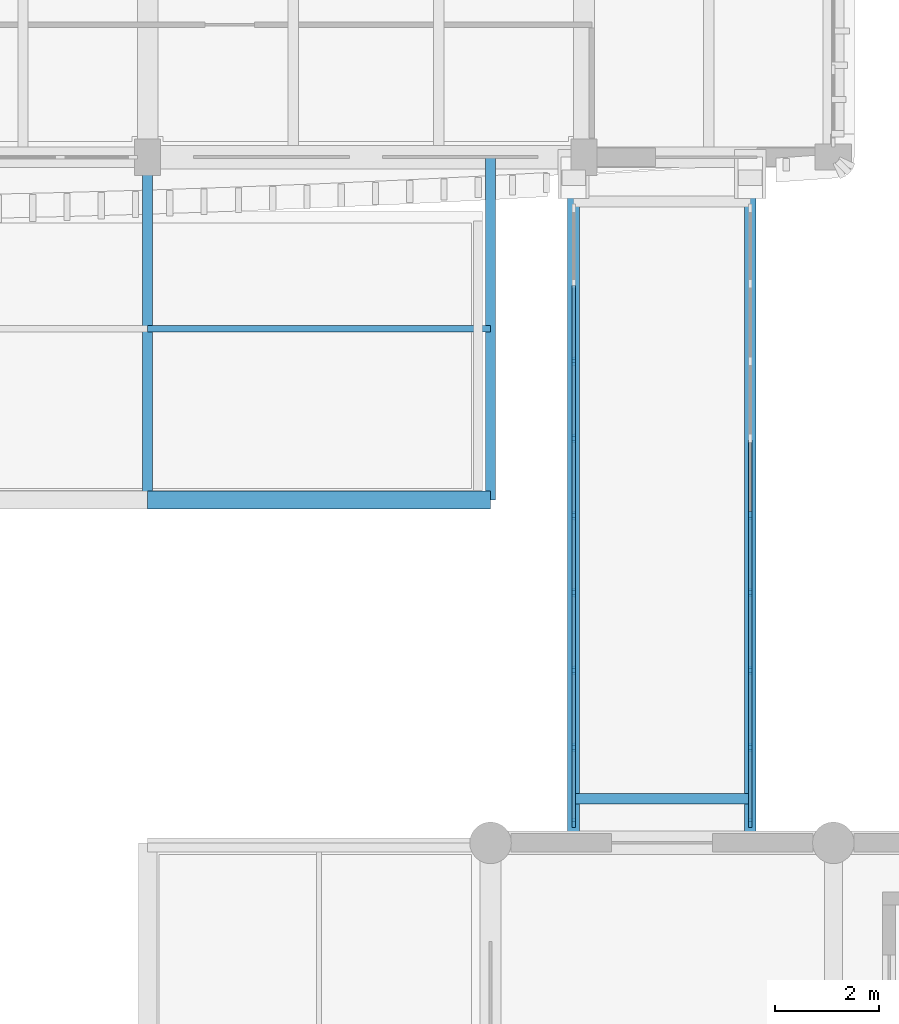
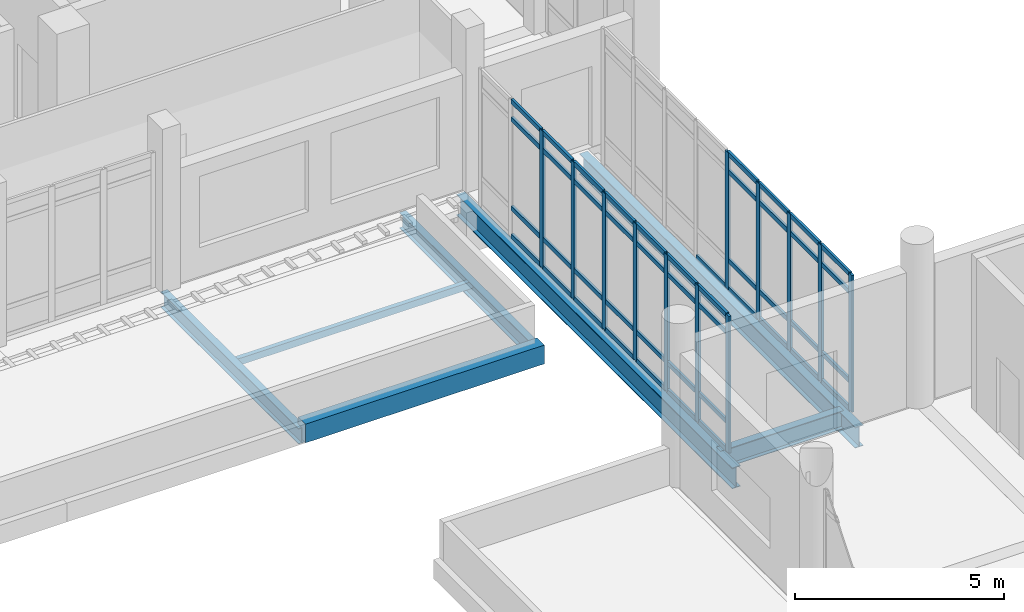
# One storey, part 28 of 125: 58 members, 6 beams, 2 elements without a shape of their own.
"""IFC4 building model written with IfcOpenShell, lengths in metres."""

from ifc_helpers import new_model, si_unit, direction, frame, origin, origin_2d, place, context, subcontext, project, spatial, rectangle, hollow_rectangle, i_section, extrude, material, material_profile, profile_set, type_object, element, aggregate, save


model = new_model("IFC4")

# Units and contexts
model_context = context("Model", 3, precision=1e-05, world=origin(), true_north=direction((0.0, 1.0)))
body_context = subcontext(model_context, "Body", "Model", "MODEL_VIEW")
ifc_project = project(units=[si_unit("LENGTHUNIT", "METRE"), si_unit("AREAUNIT", "SQUARE_METRE"), si_unit("VOLUMEUNIT", "CUBIC_METRE"), si_unit("PLANEANGLEUNIT", "RADIAN"), si_unit("MASSUNIT", "GRAM", prefix="KILO")], contexts=[model_context])

# Site, building, storey
site_placement = place(None, origin())
site = spatial("IfcSite", under=ifc_project, at=site_placement, CompositionType="ELEMENT")
building_placement = place(site_placement, origin())
building = spatial("IfcBuilding", under=site, at=building_placement, Name="Dornvale Research Institute", CompositionType="ELEMENT")
storey_placement = place(building_placement, frame((0.0, 0.0, 5.39990234375)))
storey = spatial("IfcBuildingStorey", under=building, at=storey_placement, Name="L01", CompositionType="ELEMENT", Elevation=5.39990234375)

# Beams
ifc_material_1 = material(Name="Steel ASTM A992 Grade 50", Category="steel")
ifc_material_profile_1 = material_profile(ifc_material_1, i_section(OverallWidth=0.19091796875, OverallDepth=0.4599609375, WebThickness=0.010009765625, FlangeThickness=0.01611328125, at=origin_2d()), Name="W18X55")
ifc_profile_set_1 = profile_set([ifc_material_profile_1], Name="Steel ASTM A992 Grade 50")
beam_type_1 = type_object("IfcBeamType", Name="Beam_Steel_W18X55_Canopy", PredefinedType="BEAM", material=ifc_profile_set_1)
for number, where, z_axis, x_axis, name in (
    (1, (33.0, 92.39990234375, -0.429931640625), (0.0, 1.0, 0.0), (-1.0, 0.0, 0.0), "L01 canopy rib beam #1863"),
    (2, (39.60009765625, 92.39990234375, -0.429931640625), (0.0, 1.0, 0.0), (-1.0, 0.0, 0.0), "L01 canopy rib beam #1865"),
):
    element("IfcBeam", number, at=place(storey_placement, frame(where, z_axis=z_axis, x_axis=x_axis)), inside=storey, type_object=beam_type_1, Name=name, PredefinedType="BEAM", context=body_context, shape_type="SweptSolid", body=[
        extrude(i_section(OverallWidth=0.19091796875, OverallDepth=0.4599609375, WebThickness=0.010009765625, FlangeThickness=0.01611328125, at=origin_2d()), origin(), (0.0, 0.0, 1.0), 6.60009765625),
    ])
ifc_material_2 = material(Name="Steel ASTM A992 Grade 50", Category="steel")
ifc_material_profile_2 = material_profile(ifc_material_2, i_section(OverallWidth=0.2099609375, OverallDepth=0.535888671875, WebThickness=0.010986328125, FlangeThickness=0.017333984375, at=origin_2d()), Name="W21X68")
ifc_profile_set_2 = profile_set([ifc_material_profile_2], Name="Steel ASTM A992 Grade 50")
beam_type_2 = type_object("IfcBeamType", Name="Beam_Steel_W21X68", PredefinedType="BEAM", material=ifc_profile_set_2)
beam_1_placement = place(storey_placement, frame((41.199951171875, 86.64990234375, -0.48779296875), z_axis=(1.0, 0.0, 0.0), x_axis=(0.0, 1.0, 0.0)))
element("IfcBeam", 3, at=beam_1_placement, inside=storey, type_object=beam_type_2, Name="L01 BR-3 south cross beam #2019", PredefinedType="BEAM", context=body_context, shape_type="SweptSolid", body=[
    extrude(i_section(OverallWidth=0.2099609375, OverallDepth=0.535888671875, WebThickness=0.010986328125, FlangeThickness=0.017333984375, at=origin_2d()), origin(), (0.0, 0.0, 1.0), 3.400146484375),
])
ifc_material_3 = material(Name="Steel ASTM A992 Grade 50", Category="steel")
ifc_material_profile_3 = material_profile(ifc_material_3, i_section(OverallWidth=0.22900390625, OverallDepth=0.612060546875, WebThickness=0.011962890625, FlangeThickness=0.01953125, at=origin_2d()), Name="W24X84")
ifc_profile_set_3 = profile_set([ifc_material_profile_3], Name="Steel ASTM A992 Grade 50")
beam_type_3 = type_object("IfcBeamType", Name="Beam_Steel_W24X84_Bridge", PredefinedType="BEAM", material=ifc_profile_set_3)
for number, where, z_axis, x_axis, name in (
    (4, (41.199951171875, 85.800048828125, -0.52587890625), (0.0, 1.0, 0.0), (-1.0, 0.0, 0.0), "L01 BR-3 west girder #2017"),
    (5, (44.60009765625, 85.800048828125, -0.52587890625), (0.0, 1.0, 0.0), (-1.0, 0.0, 0.0), "L01 BR-3 east girder #2018"),
):
    element("IfcBeam", number, at=place(storey_placement, frame(where, z_axis=z_axis, x_axis=x_axis)), inside=storey, type_object=beam_type_3, Name=name, PredefinedType="BEAM", context=body_context, shape_type="SweptSolid", body=[
        extrude(i_section(OverallWidth=0.22900390625, OverallDepth=0.612060546875, WebThickness=0.011962890625, FlangeThickness=0.01953125, at=origin_2d()), origin(), (0.0, 0.0, 1.0), 13.199951171875),
    ])
ifc_material_4 = material(Name="Concrete f'c 45 MPa (C35/45)", Category="concrete")
ifc_material_profile_4 = material_profile(ifc_material_4, rectangle(XDim=0.35009765625, YDim=0.550048828125, at=origin_2d()), Name="RC 350x550")
ifc_profile_set_4 = profile_set([ifc_material_profile_4], Name="Concrete f'c 45 MPa (C35/45)")
beam_type_4 = type_object("IfcBeamType", Name="Lintel_RC350x550_Arch", PredefinedType="LINTEL", material=ifc_profile_set_4)
beam_2_placement = place(storey_placement, frame((33.0, 92.39990234375, -0.27490234375), z_axis=(1.0, 0.0, 0.0), x_axis=(0.0, 1.0, 0.0)))
element("IfcBeam", 6, at=beam_2_placement, inside=storey, type_object=beam_type_4, Name="L01 colonnade arch lintel #1851", PredefinedType="LINTEL", context=body_context, shape_type="SweptSolid", body=[
    extrude(rectangle(XDim=0.35009765625, YDim=0.550048828125, at=origin_2d()), origin(), (0.0, 0.0, 1.0), 6.60009765625),
])

# Curtain wall, members
ifc_material_5 = material(Name="Low-E Argon Double Insulating Glazing Unit", Category="glass")
curtain_wall_type = type_object("IfcCurtainWallType", Name="UnitisedCurtainWall_V2_11900x4000", PredefinedType="USERDEFINED", material=ifc_material_5)
curtain_wall_1_placement = place(storey_placement, origin())
curtain_wall_1 = element("IfcCurtainWall", 7, at=curtain_wall_1_placement, inside=storey, type_object=curtain_wall_type, Name="L01 V2 unitised curtain wall CW-40 #207", ObjectType="UNITISED CURTAIN WALL", PredefinedType="USERDEFINED")
ifc_material_6 = material(Name="Anodized Aluminum AA 6063-T6 Thermally Broken Frame", Category="aluminium")
ifc_material_profile_5 = material_profile(ifc_material_6, rectangle(XDim=0.06494140625, YDim=0.1650390625, at=origin_2d()), Name="ALU MULLION 65x165")
ifc_profile_set_5 = profile_set([ifc_material_profile_5], Name="Anodized Aluminum AA 6063-T6 Thermally Broken Frame")
member_type_1 = type_object("IfcMemberType", Name="Mullion_Atrium_65x165", PredefinedType="MULLION", material=ifc_profile_set_5)
member_1_placement = place(storey_placement, frame((41.199951171875, 86.1826171875, 0.0), z_axis=(0.0, 0.0, 1.0), x_axis=(-1.0, 0.0, 0.0)))
member_1 = element("IfcMember", 8, at=member_1_placement, type_object=member_type_1, Name="CW-40 mullion 1", PredefinedType="MULLION", context=body_context, shape_type="SweptSolid", body=[
    extrude(rectangle(XDim=0.06494140625, YDim=0.1650390625, at=origin_2d()), origin(), (0.0, 0.0, 1.0), 4.0),
])
member_2_placement = place(storey_placement, frame((41.199951171875, 87.637451171875, 0.0), z_axis=(0.0, 0.0, 1.0), x_axis=(-1.0, 0.0, 0.0)))
member_2 = element("IfcMember", 9, at=member_2_placement, type_object=member_type_1, Name="CW-40 mullion 2", PredefinedType="MULLION", context=body_context, shape_type="SweptSolid", body=[
    extrude(rectangle(XDim=0.06494140625, YDim=0.1650390625, at=origin_2d()), origin(), (0.0, 0.0, 1.0), 4.0),
])
member_3_placement = place(storey_placement, frame((41.199951171875, 89.125, 0.0), z_axis=(0.0, 0.0, 1.0), x_axis=(-1.0, 0.0, 0.0)))
member_3 = element("IfcMember", 10, at=member_3_placement, type_object=member_type_1, Name="CW-40 mullion 3", PredefinedType="MULLION", context=body_context, shape_type="SweptSolid", body=[
    extrude(rectangle(XDim=0.06494140625, YDim=0.1650390625, at=origin_2d()), origin(), (0.0, 0.0, 1.0), 4.0),
])
member_4_placement = place(storey_placement, frame((41.199951171875, 90.612548828125, 0.0), z_axis=(0.0, 0.0, 1.0), x_axis=(-1.0, 0.0, 0.0)))
member_4 = element("IfcMember", 11, at=member_4_placement, type_object=member_type_1, Name="CW-40 mullion 4", PredefinedType="MULLION", context=body_context, shape_type="SweptSolid", body=[
    extrude(rectangle(XDim=0.06494140625, YDim=0.1650390625, at=origin_2d()), origin(), (0.0, 0.0, 1.0), 4.0),
])
member_5_placement = place(storey_placement, frame((41.199951171875, 92.10009765625, 0.0), z_axis=(0.0, 0.0, 1.0), x_axis=(-1.0, 0.0, 0.0)))
member_5 = element("IfcMember", 12, at=member_5_placement, type_object=member_type_1, Name="CW-40 mullion 5", PredefinedType="MULLION", context=body_context, shape_type="SweptSolid", body=[
    extrude(rectangle(XDim=0.06494140625, YDim=0.1650390625, at=origin_2d()), origin(), (0.0, 0.0, 1.0), 4.0),
])
member_6_placement = place(storey_placement, frame((41.199951171875, 93.58740234375, 0.0), z_axis=(0.0, 0.0, 1.0), x_axis=(-1.0, 0.0, 0.0)))
member_6 = element("IfcMember", 13, at=member_6_placement, type_object=member_type_1, Name="CW-40 mullion 6", PredefinedType="MULLION", context=body_context, shape_type="SweptSolid", body=[
    extrude(rectangle(XDim=0.06494140625, YDim=0.1650390625, at=origin_2d()), origin(), (0.0, 0.0, 1.0), 4.0),
])
member_7_placement = place(storey_placement, frame((41.199951171875, 95.074951171875, 0.0), z_axis=(0.0, 0.0, 1.0), x_axis=(-1.0, 0.0, 0.0)))
member_7 = element("IfcMember", 14, at=member_7_placement, type_object=member_type_1, Name="CW-40 mullion 7", PredefinedType="MULLION", context=body_context, shape_type="SweptSolid", body=[
    extrude(rectangle(XDim=0.06494140625, YDim=0.1650390625, at=origin_2d()), origin(), (0.0, 0.0, 1.0), 4.0),
])

curtain_wall_2_placement = place(storey_placement, origin())
curtain_wall_2 = element("IfcCurtainWall", 15, at=curtain_wall_2_placement, inside=storey, type_object=curtain_wall_type, Name="L01 V2 unitised curtain wall CW-40 #208", ObjectType="UNITISED CURTAIN WALL", PredefinedType="USERDEFINED")
member_8_placement = place(storey_placement, frame((44.60009765625, 92.10009765625, 0.0), z_axis=(0.0, 0.0, 1.0), x_axis=(1.0, 0.0, 0.0)))
member_8 = element("IfcMember", 16, at=member_8_placement, type_object=member_type_1, Name="CW-40 mullion 5", PredefinedType="MULLION", context=body_context, shape_type="SweptSolid", body=[
    extrude(rectangle(XDim=0.06494140625, YDim=0.1650390625, at=origin_2d()), origin(), (0.0, 0.0, 1.0), 4.0),
])
member_9_placement = place(storey_placement, frame((44.60009765625, 90.612548828125, 0.0), z_axis=(0.0, 0.0, 1.0), x_axis=(1.0, 0.0, 0.0)))
member_9 = element("IfcMember", 17, at=member_9_placement, type_object=member_type_1, Name="CW-40 mullion 6", PredefinedType="MULLION", context=body_context, shape_type="SweptSolid", body=[
    extrude(rectangle(XDim=0.06494140625, YDim=0.1650390625, at=origin_2d()), origin(), (0.0, 0.0, 1.0), 4.0),
])
member_10_placement = place(storey_placement, frame((44.60009765625, 89.125, 0.0), z_axis=(0.0, 0.0, 1.0), x_axis=(1.0, 0.0, 0.0)))
member_10 = element("IfcMember", 18, at=member_10_placement, type_object=member_type_1, Name="CW-40 mullion 7", PredefinedType="MULLION", context=body_context, shape_type="SweptSolid", body=[
    extrude(rectangle(XDim=0.06494140625, YDim=0.1650390625, at=origin_2d()), origin(), (0.0, 0.0, 1.0), 4.0),
])
member_11_placement = place(storey_placement, frame((44.60009765625, 87.637451171875, 0.0), z_axis=(0.0, 0.0, 1.0), x_axis=(1.0, 0.0, 0.0)))
member_11 = element("IfcMember", 19, at=member_11_placement, type_object=member_type_1, Name="CW-40 mullion 8", PredefinedType="MULLION", context=body_context, shape_type="SweptSolid", body=[
    extrude(rectangle(XDim=0.06494140625, YDim=0.1650390625, at=origin_2d()), origin(), (0.0, 0.0, 1.0), 4.0),
])
member_12_placement = place(storey_placement, frame((44.60009765625, 86.1826171875, 0.0), z_axis=(0.0, 0.0, 1.0), x_axis=(1.0, 0.0, 0.0)))
member_12 = element("IfcMember", 20, at=member_12_placement, type_object=member_type_1, Name="CW-40 mullion 9", PredefinedType="MULLION", context=body_context, shape_type="SweptSolid", body=[
    extrude(rectangle(XDim=0.06494140625, YDim=0.1650390625, at=origin_2d()), origin(), (0.0, 0.0, 1.0), 4.0),
])

# Member
ifc_material_7 = material(Name="Steel ASTM A500 Grade C", Category="steel")
ifc_material_profile_6 = material_profile(ifc_material_7, hollow_rectangle(XDim=0.126953125, YDim=0.202880859375, WallThickness=0.00732421875, at=origin_2d()), Name="HSS203X127X7.9")
ifc_profile_set_6 = profile_set([ifc_material_profile_6], Name="Steel ASTM A500 Grade C")
member_type_2 = type_object("IfcMemberType", Name="Purlin_HSS203X127_Canopy", PredefinedType="PURLIN", material=ifc_profile_set_6)
member_13_placement = place(storey_placement, frame((33.0, 95.699951171875, -0.301513671875), z_axis=(1.0, 0.0, 0.0), x_axis=(0.0, 1.0, 0.0)))
element("IfcMember", 21, at=member_13_placement, inside=storey, type_object=member_type_2, Name="Colonnade canopy purlin #12", PredefinedType="PURLIN", context=body_context, shape_type="SweptSolid", body=[
    extrude(hollow_rectangle(XDim=0.126953125, YDim=0.202880859375, WallThickness=0.00732421875, at=origin_2d()), origin(), (0.0, 0.0, 1.0), 6.60009765625),
])

ifc_material_8 = material(Name="Anodized Aluminum AA 6063-T6 Thermally Broken Frame", Category="aluminium")
ifc_material_profile_7 = material_profile(ifc_material_8, rectangle(XDim=0.06494140625, YDim=0.135009765625, at=origin_2d()), Name="ALU TRANSOM 65x135")
ifc_profile_set_7 = profile_set([ifc_material_profile_7], Name="Anodized Aluminum AA 6063-T6 Thermally Broken Frame")
member_type_3 = type_object("IfcMemberType", Name="Transom_CW_65x135", PredefinedType="USERDEFINED", material=ifc_profile_set_7)
member_14_placement = place(storey_placement, frame((41.199951171875, 86.215087890625, 0.03271484375), z_axis=(0.0, 1.0, 0.0), x_axis=(-1.0, 0.0, 0.0)))
member_14 = element("IfcMember", 22, at=member_14_placement, type_object=member_type_3, Name="CW-40 transom 1.1", ObjectType="TRANSOM", PredefinedType="USERDEFINED", context=body_context, shape_type="SweptSolid", body=[
    extrude(rectangle(XDim=0.06494140625, YDim=0.135009765625, at=origin_2d()), origin(), (0.0, 0.0, 1.0), 1.389892578125),
])

member_15_placement = place(storey_placement, frame((41.199951171875, 86.215087890625, 0.85009765625), z_axis=(0.0, 1.0, 0.0), x_axis=(-1.0, 0.0, 0.0)))
member_15 = element("IfcMember", 23, at=member_15_placement, type_object=member_type_3, Name="CW-40 transom 1.2", ObjectType="TRANSOM", PredefinedType="USERDEFINED", context=body_context, shape_type="SweptSolid", body=[
    extrude(rectangle(XDim=0.06494140625, YDim=0.135009765625, at=origin_2d()), origin(), (0.0, 0.0, 1.0), 1.389892578125),
])

member_16_placement = place(storey_placement, frame((41.199951171875, 86.215087890625, 3.4501953125), z_axis=(0.0, 1.0, 0.0), x_axis=(-1.0, 0.0, 0.0)))
member_16 = element("IfcMember", 24, at=member_16_placement, type_object=member_type_3, Name="CW-40 transom 1.3", ObjectType="TRANSOM", PredefinedType="USERDEFINED", context=body_context, shape_type="SweptSolid", body=[
    extrude(rectangle(XDim=0.06494140625, YDim=0.135009765625, at=origin_2d()), origin(), (0.0, 0.0, 1.0), 1.389892578125),
])

member_17_placement = place(storey_placement, frame((41.199951171875, 86.215087890625, 3.967529296875), z_axis=(0.0, 1.0, 0.0), x_axis=(-1.0, 0.0, 0.0)))
member_17 = element("IfcMember", 25, at=member_17_placement, type_object=member_type_3, Name="CW-40 transom 1.4", ObjectType="TRANSOM", PredefinedType="USERDEFINED", context=body_context, shape_type="SweptSolid", body=[
    extrude(rectangle(XDim=0.06494140625, YDim=0.135009765625, at=origin_2d()), origin(), (0.0, 0.0, 1.0), 1.389892578125),
])

member_18_placement = place(storey_placement, frame((41.199951171875, 87.669921875, 0.03271484375), z_axis=(0.0, 1.0, 0.0), x_axis=(-1.0, 0.0, 0.0)))
member_18 = element("IfcMember", 26, at=member_18_placement, type_object=member_type_3, Name="CW-40 transom 2.1", ObjectType="TRANSOM", PredefinedType="USERDEFINED", context=body_context, shape_type="SweptSolid", body=[
    extrude(rectangle(XDim=0.06494140625, YDim=0.135009765625, at=origin_2d()), origin(), (0.0, 0.0, 1.0), 1.422607421875),
])

member_19_placement = place(storey_placement, frame((41.199951171875, 87.669921875, 0.85009765625), z_axis=(0.0, 1.0, 0.0), x_axis=(-1.0, 0.0, 0.0)))
member_19 = element("IfcMember", 27, at=member_19_placement, type_object=member_type_3, Name="CW-40 transom 2.2", ObjectType="TRANSOM", PredefinedType="USERDEFINED", context=body_context, shape_type="SweptSolid", body=[
    extrude(rectangle(XDim=0.06494140625, YDim=0.135009765625, at=origin_2d()), origin(), (0.0, 0.0, 1.0), 1.422607421875),
])

member_20_placement = place(storey_placement, frame((41.199951171875, 87.669921875, 3.4501953125), z_axis=(0.0, 1.0, 0.0), x_axis=(-1.0, 0.0, 0.0)))
member_20 = element("IfcMember", 28, at=member_20_placement, type_object=member_type_3, Name="CW-40 transom 2.3", ObjectType="TRANSOM", PredefinedType="USERDEFINED", context=body_context, shape_type="SweptSolid", body=[
    extrude(rectangle(XDim=0.06494140625, YDim=0.135009765625, at=origin_2d()), origin(), (0.0, 0.0, 1.0), 1.422607421875),
])

member_21_placement = place(storey_placement, frame((41.199951171875, 87.669921875, 3.967529296875), z_axis=(0.0, 1.0, 0.0), x_axis=(-1.0, 0.0, 0.0)))
member_21 = element("IfcMember", 29, at=member_21_placement, type_object=member_type_3, Name="CW-40 transom 2.4", ObjectType="TRANSOM", PredefinedType="USERDEFINED", context=body_context, shape_type="SweptSolid", body=[
    extrude(rectangle(XDim=0.06494140625, YDim=0.135009765625, at=origin_2d()), origin(), (0.0, 0.0, 1.0), 1.422607421875),
])

member_22_placement = place(storey_placement, frame((41.199951171875, 89.157470703125, 0.03271484375), z_axis=(0.0, 1.0, 0.0), x_axis=(-1.0, 0.0, 0.0)))
member_22 = element("IfcMember", 30, at=member_22_placement, type_object=member_type_3, Name="CW-40 transom 3.1", ObjectType="TRANSOM", PredefinedType="USERDEFINED", context=body_context, shape_type="SweptSolid", body=[
    extrude(rectangle(XDim=0.06494140625, YDim=0.135009765625, at=origin_2d()), origin(), (0.0, 0.0, 1.0), 1.422607421875),
])

member_23_placement = place(storey_placement, frame((41.199951171875, 89.157470703125, 0.85009765625), z_axis=(0.0, 1.0, 0.0), x_axis=(-1.0, 0.0, 0.0)))
member_23 = element("IfcMember", 31, at=member_23_placement, type_object=member_type_3, Name="CW-40 transom 3.2", ObjectType="TRANSOM", PredefinedType="USERDEFINED", context=body_context, shape_type="SweptSolid", body=[
    extrude(rectangle(XDim=0.06494140625, YDim=0.135009765625, at=origin_2d()), origin(), (0.0, 0.0, 1.0), 1.422607421875),
])

member_24_placement = place(storey_placement, frame((41.199951171875, 89.157470703125, 3.4501953125), z_axis=(0.0, 1.0, 0.0), x_axis=(-1.0, 0.0, 0.0)))
member_24 = element("IfcMember", 32, at=member_24_placement, type_object=member_type_3, Name="CW-40 transom 3.3", ObjectType="TRANSOM", PredefinedType="USERDEFINED", context=body_context, shape_type="SweptSolid", body=[
    extrude(rectangle(XDim=0.06494140625, YDim=0.135009765625, at=origin_2d()), origin(), (0.0, 0.0, 1.0), 1.422607421875),
])

member_25_placement = place(storey_placement, frame((41.199951171875, 89.157470703125, 3.967529296875), z_axis=(0.0, 1.0, 0.0), x_axis=(-1.0, 0.0, 0.0)))
member_25 = element("IfcMember", 33, at=member_25_placement, type_object=member_type_3, Name="CW-40 transom 3.4", ObjectType="TRANSOM", PredefinedType="USERDEFINED", context=body_context, shape_type="SweptSolid", body=[
    extrude(rectangle(XDim=0.06494140625, YDim=0.135009765625, at=origin_2d()), origin(), (0.0, 0.0, 1.0), 1.422607421875),
])

member_26_placement = place(storey_placement, frame((41.199951171875, 90.64501953125, 0.03271484375), z_axis=(0.0, 1.0, 0.0), x_axis=(-1.0, 0.0, 0.0)))
member_26 = element("IfcMember", 34, at=member_26_placement, type_object=member_type_3, Name="CW-40 transom 4.1", ObjectType="TRANSOM", PredefinedType="USERDEFINED", context=body_context, shape_type="SweptSolid", body=[
    extrude(rectangle(XDim=0.06494140625, YDim=0.135009765625, at=origin_2d()), origin(), (0.0, 0.0, 1.0), 1.42236328125),
])

member_27_placement = place(storey_placement, frame((41.199951171875, 90.64501953125, 0.85009765625), z_axis=(0.0, 1.0, 0.0), x_axis=(-1.0, 0.0, 0.0)))
member_27 = element("IfcMember", 35, at=member_27_placement, type_object=member_type_3, Name="CW-40 transom 4.2", ObjectType="TRANSOM", PredefinedType="USERDEFINED", context=body_context, shape_type="SweptSolid", body=[
    extrude(rectangle(XDim=0.06494140625, YDim=0.135009765625, at=origin_2d()), origin(), (0.0, 0.0, 1.0), 1.42236328125),
])

member_28_placement = place(storey_placement, frame((41.199951171875, 90.64501953125, 3.4501953125), z_axis=(0.0, 1.0, 0.0), x_axis=(-1.0, 0.0, 0.0)))
member_28 = element("IfcMember", 36, at=member_28_placement, type_object=member_type_3, Name="CW-40 transom 4.3", ObjectType="TRANSOM", PredefinedType="USERDEFINED", context=body_context, shape_type="SweptSolid", body=[
    extrude(rectangle(XDim=0.06494140625, YDim=0.135009765625, at=origin_2d()), origin(), (0.0, 0.0, 1.0), 1.42236328125),
])

member_29_placement = place(storey_placement, frame((41.199951171875, 90.64501953125, 3.967529296875), z_axis=(0.0, 1.0, 0.0), x_axis=(-1.0, 0.0, 0.0)))
member_29 = element("IfcMember", 37, at=member_29_placement, type_object=member_type_3, Name="CW-40 transom 4.4", ObjectType="TRANSOM", PredefinedType="USERDEFINED", context=body_context, shape_type="SweptSolid", body=[
    extrude(rectangle(XDim=0.06494140625, YDim=0.135009765625, at=origin_2d()), origin(), (0.0, 0.0, 1.0), 1.42236328125),
])

member_30_placement = place(storey_placement, frame((41.199951171875, 92.132568359375, 0.03271484375), z_axis=(0.0, 1.0, 0.0), x_axis=(-1.0, 0.0, 0.0)))
member_30 = element("IfcMember", 38, at=member_30_placement, type_object=member_type_3, Name="CW-40 transom 5.1", ObjectType="TRANSOM", PredefinedType="USERDEFINED", context=body_context, shape_type="SweptSolid", body=[
    extrude(rectangle(XDim=0.06494140625, YDim=0.135009765625, at=origin_2d()), origin(), (0.0, 0.0, 1.0), 1.42236328125),
])

member_31_placement = place(storey_placement, frame((41.199951171875, 92.132568359375, 0.85009765625), z_axis=(0.0, 1.0, 0.0), x_axis=(-1.0, 0.0, 0.0)))
member_31 = element("IfcMember", 39, at=member_31_placement, type_object=member_type_3, Name="CW-40 transom 5.2", ObjectType="TRANSOM", PredefinedType="USERDEFINED", context=body_context, shape_type="SweptSolid", body=[
    extrude(rectangle(XDim=0.06494140625, YDim=0.135009765625, at=origin_2d()), origin(), (0.0, 0.0, 1.0), 1.42236328125),
])

member_32_placement = place(storey_placement, frame((41.199951171875, 92.132568359375, 3.4501953125), z_axis=(0.0, 1.0, 0.0), x_axis=(-1.0, 0.0, 0.0)))
member_32 = element("IfcMember", 40, at=member_32_placement, type_object=member_type_3, Name="CW-40 transom 5.3", ObjectType="TRANSOM", PredefinedType="USERDEFINED", context=body_context, shape_type="SweptSolid", body=[
    extrude(rectangle(XDim=0.06494140625, YDim=0.135009765625, at=origin_2d()), origin(), (0.0, 0.0, 1.0), 1.42236328125),
])

member_33_placement = place(storey_placement, frame((41.199951171875, 92.132568359375, 3.967529296875), z_axis=(0.0, 1.0, 0.0), x_axis=(-1.0, 0.0, 0.0)))
member_33 = element("IfcMember", 41, at=member_33_placement, type_object=member_type_3, Name="CW-40 transom 5.4", ObjectType="TRANSOM", PredefinedType="USERDEFINED", context=body_context, shape_type="SweptSolid", body=[
    extrude(rectangle(XDim=0.06494140625, YDim=0.135009765625, at=origin_2d()), origin(), (0.0, 0.0, 1.0), 1.42236328125),
])

member_34_placement = place(storey_placement, frame((41.199951171875, 93.6201171875, 0.03271484375), z_axis=(0.0, 1.0, 0.0), x_axis=(-1.0, 0.0, 0.0)))
member_34 = element("IfcMember", 42, at=member_34_placement, type_object=member_type_3, Name="CW-40 transom 6.1", ObjectType="TRANSOM", PredefinedType="USERDEFINED", context=body_context, shape_type="SweptSolid", body=[
    extrude(rectangle(XDim=0.06494140625, YDim=0.135009765625, at=origin_2d()), origin(), (0.0, 0.0, 1.0), 1.42236328125),
])

member_35_placement = place(storey_placement, frame((41.199951171875, 93.6201171875, 0.85009765625), z_axis=(0.0, 1.0, 0.0), x_axis=(-1.0, 0.0, 0.0)))
member_35 = element("IfcMember", 43, at=member_35_placement, type_object=member_type_3, Name="CW-40 transom 6.2", ObjectType="TRANSOM", PredefinedType="USERDEFINED", context=body_context, shape_type="SweptSolid", body=[
    extrude(rectangle(XDim=0.06494140625, YDim=0.135009765625, at=origin_2d()), origin(), (0.0, 0.0, 1.0), 1.42236328125),
])

member_36_placement = place(storey_placement, frame((41.199951171875, 93.6201171875, 3.4501953125), z_axis=(0.0, 1.0, 0.0), x_axis=(-1.0, 0.0, 0.0)))
member_36 = element("IfcMember", 44, at=member_36_placement, type_object=member_type_3, Name="CW-40 transom 6.3", ObjectType="TRANSOM", PredefinedType="USERDEFINED", context=body_context, shape_type="SweptSolid", body=[
    extrude(rectangle(XDim=0.06494140625, YDim=0.135009765625, at=origin_2d()), origin(), (0.0, 0.0, 1.0), 1.42236328125),
])

member_37_placement = place(storey_placement, frame((41.199951171875, 93.6201171875, 3.967529296875), z_axis=(0.0, 1.0, 0.0), x_axis=(-1.0, 0.0, 0.0)))
member_37 = element("IfcMember", 45, at=member_37_placement, type_object=member_type_3, Name="CW-40 transom 6.4", ObjectType="TRANSOM", PredefinedType="USERDEFINED", context=body_context, shape_type="SweptSolid", body=[
    extrude(rectangle(XDim=0.06494140625, YDim=0.135009765625, at=origin_2d()), origin(), (0.0, 0.0, 1.0), 1.42236328125),
])

member_38_placement = place(storey_placement, frame((41.199951171875, 95.107421875, 0.03271484375), z_axis=(0.0, 1.0, 0.0), x_axis=(-1.0, 0.0, 0.0)))
member_38 = element("IfcMember", 46, at=member_38_placement, type_object=member_type_3, Name="CW-40 transom 7.1", ObjectType="TRANSOM", PredefinedType="USERDEFINED", context=body_context, shape_type="SweptSolid", body=[
    extrude(rectangle(XDim=0.06494140625, YDim=0.135009765625, at=origin_2d()), origin(), (0.0, 0.0, 1.0), 1.422607421875),
])

member_39_placement = place(storey_placement, frame((41.199951171875, 95.107421875, 0.85009765625), z_axis=(0.0, 1.0, 0.0), x_axis=(-1.0, 0.0, 0.0)))
member_39 = element("IfcMember", 47, at=member_39_placement, type_object=member_type_3, Name="CW-40 transom 7.2", ObjectType="TRANSOM", PredefinedType="USERDEFINED", context=body_context, shape_type="SweptSolid", body=[
    extrude(rectangle(XDim=0.06494140625, YDim=0.135009765625, at=origin_2d()), origin(), (0.0, 0.0, 1.0), 1.422607421875),
])

member_40_placement = place(storey_placement, frame((41.199951171875, 95.107421875, 3.4501953125), z_axis=(0.0, 1.0, 0.0), x_axis=(-1.0, 0.0, 0.0)))
member_40 = element("IfcMember", 48, at=member_40_placement, type_object=member_type_3, Name="CW-40 transom 7.3", ObjectType="TRANSOM", PredefinedType="USERDEFINED", context=body_context, shape_type="SweptSolid", body=[
    extrude(rectangle(XDim=0.06494140625, YDim=0.135009765625, at=origin_2d()), origin(), (0.0, 0.0, 1.0), 1.422607421875),
])

member_41_placement = place(storey_placement, frame((41.199951171875, 95.107421875, 3.967529296875), z_axis=(0.0, 1.0, 0.0), x_axis=(-1.0, 0.0, 0.0)))
member_41 = element("IfcMember", 49, at=member_41_placement, type_object=member_type_3, Name="CW-40 transom 7.4", ObjectType="TRANSOM", PredefinedType="USERDEFINED", context=body_context, shape_type="SweptSolid", body=[
    extrude(rectangle(XDim=0.06494140625, YDim=0.135009765625, at=origin_2d()), origin(), (0.0, 0.0, 1.0), 1.422607421875),
])

aggregate(curtain_wall_1, [member_1, member_2, member_3, member_4, member_5, member_6, member_7, member_14, member_15, member_16, member_17, member_18, member_19, member_20, member_21, member_22, member_23, member_24, member_25, member_26, member_27, member_28, member_29, member_30, member_31, member_32, member_33, member_34, member_35, member_36, member_37, member_38, member_39, member_40, member_41])

member_42_placement = place(storey_placement, frame((44.60009765625, 93.554931640625, 0.03271484375), z_axis=(0.0, -1.0, 0.0), x_axis=(1.0, 0.0, 0.0)))
member_42 = element("IfcMember", 50, at=member_42_placement, type_object=member_type_3, Name="CW-40 transom 4.1", ObjectType="TRANSOM", PredefinedType="USERDEFINED", context=body_context, shape_type="SweptSolid", body=[
    extrude(rectangle(XDim=0.06494140625, YDim=0.135009765625, at=origin_2d()), origin(), (0.0, 0.0, 1.0), 1.42236328125),
])

member_43_placement = place(storey_placement, frame((44.60009765625, 92.0673828125, 0.03271484375), z_axis=(0.0, -1.0, 0.0), x_axis=(1.0, 0.0, 0.0)))
member_43 = element("IfcMember", 51, at=member_43_placement, type_object=member_type_3, Name="CW-40 transom 5.1", ObjectType="TRANSOM", PredefinedType="USERDEFINED", context=body_context, shape_type="SweptSolid", body=[
    extrude(rectangle(XDim=0.06494140625, YDim=0.135009765625, at=origin_2d()), origin(), (0.0, 0.0, 1.0), 1.42236328125),
])

member_44_placement = place(storey_placement, frame((44.60009765625, 92.0673828125, 0.85009765625), z_axis=(0.0, -1.0, 0.0), x_axis=(1.0, 0.0, 0.0)))
member_44 = element("IfcMember", 52, at=member_44_placement, type_object=member_type_3, Name="CW-40 transom 5.2", ObjectType="TRANSOM", PredefinedType="USERDEFINED", context=body_context, shape_type="SweptSolid", body=[
    extrude(rectangle(XDim=0.06494140625, YDim=0.135009765625, at=origin_2d()), origin(), (0.0, 0.0, 1.0), 1.42236328125),
])

member_45_placement = place(storey_placement, frame((44.60009765625, 92.0673828125, 3.4501953125), z_axis=(0.0, -1.0, 0.0), x_axis=(1.0, 0.0, 0.0)))
member_45 = element("IfcMember", 53, at=member_45_placement, type_object=member_type_3, Name="CW-40 transom 5.3", ObjectType="TRANSOM", PredefinedType="USERDEFINED", context=body_context, shape_type="SweptSolid", body=[
    extrude(rectangle(XDim=0.06494140625, YDim=0.135009765625, at=origin_2d()), origin(), (0.0, 0.0, 1.0), 1.42236328125),
])

member_46_placement = place(storey_placement, frame((44.60009765625, 92.0673828125, 3.967529296875), z_axis=(0.0, -1.0, 0.0), x_axis=(1.0, 0.0, 0.0)))
member_46 = element("IfcMember", 54, at=member_46_placement, type_object=member_type_3, Name="CW-40 transom 5.4", ObjectType="TRANSOM", PredefinedType="USERDEFINED", context=body_context, shape_type="SweptSolid", body=[
    extrude(rectangle(XDim=0.06494140625, YDim=0.135009765625, at=origin_2d()), origin(), (0.0, 0.0, 1.0), 1.42236328125),
])

member_47_placement = place(storey_placement, frame((44.60009765625, 90.580078125, 0.03271484375), z_axis=(0.0, -1.0, 0.0), x_axis=(1.0, 0.0, 0.0)))
member_47 = element("IfcMember", 55, at=member_47_placement, type_object=member_type_3, Name="CW-40 transom 6.1", ObjectType="TRANSOM", PredefinedType="USERDEFINED", context=body_context, shape_type="SweptSolid", body=[
    extrude(rectangle(XDim=0.06494140625, YDim=0.135009765625, at=origin_2d()), origin(), (0.0, 0.0, 1.0), 1.422607421875),
])

member_48_placement = place(storey_placement, frame((44.60009765625, 90.580078125, 0.85009765625), z_axis=(0.0, -1.0, 0.0), x_axis=(1.0, 0.0, 0.0)))
member_48 = element("IfcMember", 56, at=member_48_placement, type_object=member_type_3, Name="CW-40 transom 6.2", ObjectType="TRANSOM", PredefinedType="USERDEFINED", context=body_context, shape_type="SweptSolid", body=[
    extrude(rectangle(XDim=0.06494140625, YDim=0.135009765625, at=origin_2d()), origin(), (0.0, 0.0, 1.0), 1.422607421875),
])

member_49_placement = place(storey_placement, frame((44.60009765625, 90.580078125, 3.4501953125), z_axis=(0.0, -1.0, 0.0), x_axis=(1.0, 0.0, 0.0)))
member_49 = element("IfcMember", 57, at=member_49_placement, type_object=member_type_3, Name="CW-40 transom 6.3", ObjectType="TRANSOM", PredefinedType="USERDEFINED", context=body_context, shape_type="SweptSolid", body=[
    extrude(rectangle(XDim=0.06494140625, YDim=0.135009765625, at=origin_2d()), origin(), (0.0, 0.0, 1.0), 1.422607421875),
])

member_50_placement = place(storey_placement, frame((44.60009765625, 90.580078125, 3.967529296875), z_axis=(0.0, -1.0, 0.0), x_axis=(1.0, 0.0, 0.0)))
member_50 = element("IfcMember", 58, at=member_50_placement, type_object=member_type_3, Name="CW-40 transom 6.4", ObjectType="TRANSOM", PredefinedType="USERDEFINED", context=body_context, shape_type="SweptSolid", body=[
    extrude(rectangle(XDim=0.06494140625, YDim=0.135009765625, at=origin_2d()), origin(), (0.0, 0.0, 1.0), 1.422607421875),
])

member_51_placement = place(storey_placement, frame((44.60009765625, 89.092529296875, 0.03271484375), z_axis=(0.0, -1.0, 0.0), x_axis=(1.0, 0.0, 0.0)))
member_51 = element("IfcMember", 59, at=member_51_placement, type_object=member_type_3, Name="CW-40 transom 7.1", ObjectType="TRANSOM", PredefinedType="USERDEFINED", context=body_context, shape_type="SweptSolid", body=[
    extrude(rectangle(XDim=0.06494140625, YDim=0.135009765625, at=origin_2d()), origin(), (0.0, 0.0, 1.0), 1.422607421875),
])

member_52_placement = place(storey_placement, frame((44.60009765625, 89.092529296875, 0.85009765625), z_axis=(0.0, -1.0, 0.0), x_axis=(1.0, 0.0, 0.0)))
member_52 = element("IfcMember", 60, at=member_52_placement, type_object=member_type_3, Name="CW-40 transom 7.2", ObjectType="TRANSOM", PredefinedType="USERDEFINED", context=body_context, shape_type="SweptSolid", body=[
    extrude(rectangle(XDim=0.06494140625, YDim=0.135009765625, at=origin_2d()), origin(), (0.0, 0.0, 1.0), 1.422607421875),
])

member_53_placement = place(storey_placement, frame((44.60009765625, 89.092529296875, 3.4501953125), z_axis=(0.0, -1.0, 0.0), x_axis=(1.0, 0.0, 0.0)))
member_53 = element("IfcMember", 61, at=member_53_placement, type_object=member_type_3, Name="CW-40 transom 7.3", ObjectType="TRANSOM", PredefinedType="USERDEFINED", context=body_context, shape_type="SweptSolid", body=[
    extrude(rectangle(XDim=0.06494140625, YDim=0.135009765625, at=origin_2d()), origin(), (0.0, 0.0, 1.0), 1.422607421875),
])

member_54_placement = place(storey_placement, frame((44.60009765625, 89.092529296875, 3.967529296875), z_axis=(0.0, -1.0, 0.0), x_axis=(1.0, 0.0, 0.0)))
member_54 = element("IfcMember", 62, at=member_54_placement, type_object=member_type_3, Name="CW-40 transom 7.4", ObjectType="TRANSOM", PredefinedType="USERDEFINED", context=body_context, shape_type="SweptSolid", body=[
    extrude(rectangle(XDim=0.06494140625, YDim=0.135009765625, at=origin_2d()), origin(), (0.0, 0.0, 1.0), 1.422607421875),
])

member_55_placement = place(storey_placement, frame((44.60009765625, 87.60498046875, 0.03271484375), z_axis=(0.0, -1.0, 0.0), x_axis=(1.0, 0.0, 0.0)))
member_55 = element("IfcMember", 63, at=member_55_placement, type_object=member_type_3, Name="CW-40 transom 8.1", ObjectType="TRANSOM", PredefinedType="USERDEFINED", context=body_context, shape_type="SweptSolid", body=[
    extrude(rectangle(XDim=0.06494140625, YDim=0.135009765625, at=origin_2d()), origin(), (0.0, 0.0, 1.0), 1.389892578125),
])

member_56_placement = place(storey_placement, frame((44.60009765625, 87.60498046875, 0.85009765625), z_axis=(0.0, -1.0, 0.0), x_axis=(1.0, 0.0, 0.0)))
member_56 = element("IfcMember", 64, at=member_56_placement, type_object=member_type_3, Name="CW-40 transom 8.2", ObjectType="TRANSOM", PredefinedType="USERDEFINED", context=body_context, shape_type="SweptSolid", body=[
    extrude(rectangle(XDim=0.06494140625, YDim=0.135009765625, at=origin_2d()), origin(), (0.0, 0.0, 1.0), 1.389892578125),
])

member_57_placement = place(storey_placement, frame((44.60009765625, 87.60498046875, 3.4501953125), z_axis=(0.0, -1.0, 0.0), x_axis=(1.0, 0.0, 0.0)))
member_57 = element("IfcMember", 65, at=member_57_placement, type_object=member_type_3, Name="CW-40 transom 8.3", ObjectType="TRANSOM", PredefinedType="USERDEFINED", context=body_context, shape_type="SweptSolid", body=[
    extrude(rectangle(XDim=0.06494140625, YDim=0.135009765625, at=origin_2d()), origin(), (0.0, 0.0, 1.0), 1.389892578125),
])

member_58_placement = place(storey_placement, frame((44.60009765625, 87.60498046875, 3.967529296875), z_axis=(0.0, -1.0, 0.0), x_axis=(1.0, 0.0, 0.0)))
member_58 = element("IfcMember", 66, at=member_58_placement, type_object=member_type_3, Name="CW-40 transom 8.4", ObjectType="TRANSOM", PredefinedType="USERDEFINED", context=body_context, shape_type="SweptSolid", body=[
    extrude(rectangle(XDim=0.06494140625, YDim=0.135009765625, at=origin_2d()), origin(), (0.0, 0.0, 1.0), 1.389892578125),
])

aggregate(curtain_wall_2, [member_8, member_9, member_10, member_11, member_12, member_42, member_43, member_44, member_45, member_46, member_47, member_48, member_49, member_50, member_51, member_52, member_53, member_54, member_55, member_56, member_57, member_58])

save(model, "model.ifc")
